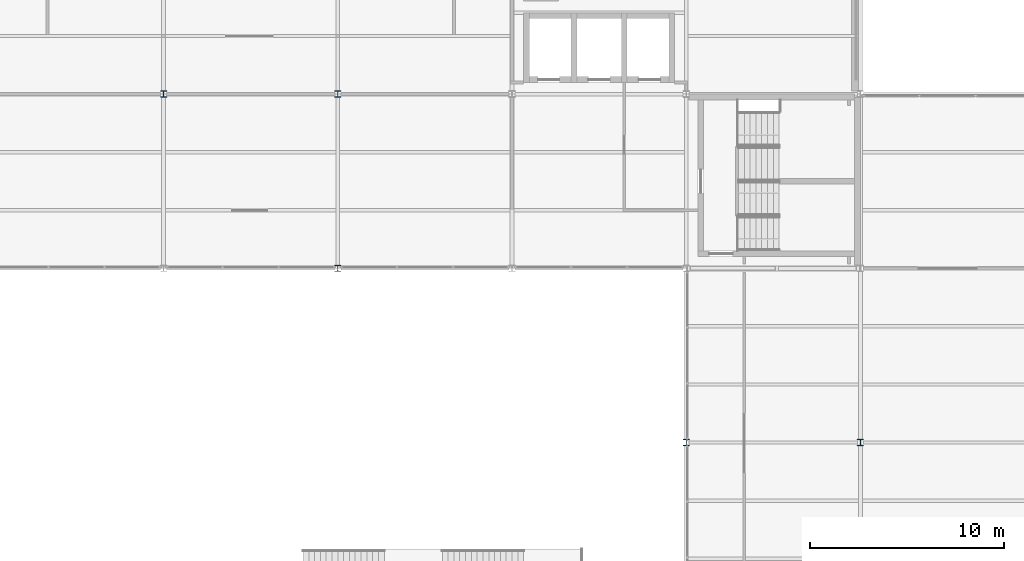
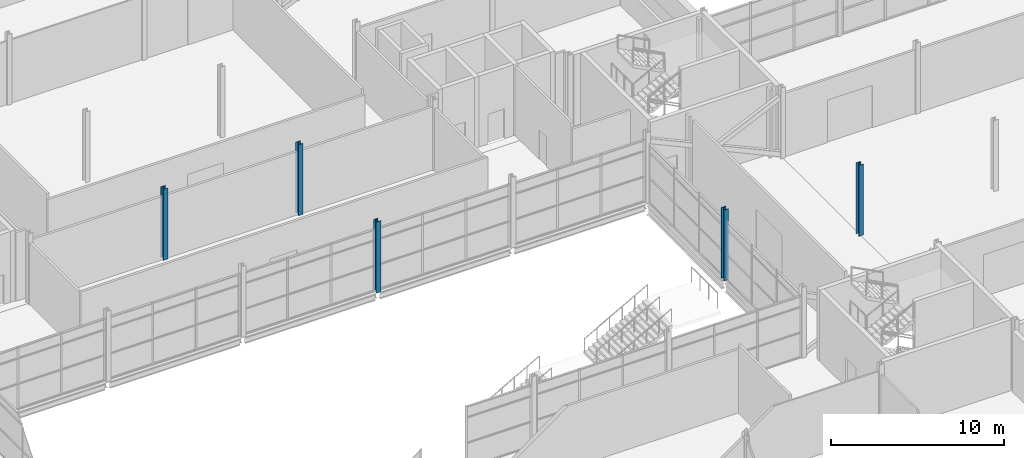
# One storey, part 11 of 112: 5 columns.
"""IFC4 building model written with IfcOpenShell, lengths in metres."""

from ifc_helpers import new_model, si_unit, direction, frame, origin, origin_2d, place, context, subcontext, project, spatial, i_section, extrude, material, material_profile, profile_set, type_object, element, save


model = new_model("IFC4")

# Units and contexts
model_context = context("Model", 3, precision=1e-05, world=origin(), true_north=direction((0.0, 1.0)))
body_context = subcontext(model_context, "Body", "Model", "MODEL_VIEW")
ifc_project = project(units=[si_unit("LENGTHUNIT", "METRE"), si_unit("AREAUNIT", "SQUARE_METRE"), si_unit("VOLUMEUNIT", "CUBIC_METRE"), si_unit("PLANEANGLEUNIT", "RADIAN"), si_unit("MASSUNIT", "GRAM", prefix="KILO")], contexts=[model_context])

# Site, building, storey
site_placement = place(None, origin())
site = spatial("IfcSite", under=ifc_project, at=site_placement, CompositionType="ELEMENT")
building_placement = place(site_placement, origin())
building = spatial("IfcBuilding", under=site, at=building_placement, Name="Shorebreak Coast Museum", CompositionType="ELEMENT")
storey_placement = place(building_placement, frame((0.0, 0.0, 6.0)))
storey = spatial("IfcBuildingStorey", under=building, at=storey_placement, Name="L01", CompositionType="ELEMENT", Elevation=6.0)

# Columns
ifc_material_1 = material(Name="Steel Grade 300", Category="steel")
ifc_material_profile_1 = material_profile(ifc_material_1, i_section(OverallWidth=0.30908203125, OverallDepth=0.320556640625, WebThickness=0.013916015625, FlangeThickness=0.021728515625, FilletRadius=0.0166015625, at=origin_2d()), Name="310UC137")
ifc_profile_set_1 = profile_set([ifc_material_profile_1], Name="Steel Grade 300")
column_type_1 = type_object("IfcColumnType", Name="Column 310UC137", PredefinedType="COLUMN", material=ifc_profile_set_1)
column_placement = place(storey_placement, frame((117.0, 72.0, 0.0), z_axis=(0.0, 0.0, 1.0), x_axis=(1.0, 0.0, 0.0)))
element("IfcColumn", 1, at=column_placement, inside=storey, type_object=column_type_1, Name="Column L01 14J", PredefinedType="COLUMN", context=body_context, shape_type="SweptSolid", body=[
    extrude(i_section(OverallWidth=0.30908203125, OverallDepth=0.320556640625, WebThickness=0.013916015625, FlangeThickness=0.021728515625, FilletRadius=0.0166015625, at=origin_2d()), origin(), (0.0, 0.0, 1.0), 5.0),
])
ifc_material_2 = material(Name="Steel Grade 300", Category="steel")
ifc_material_profile_2 = material_profile(ifc_material_2, i_section(OverallWidth=0.31103515625, OverallDepth=0.3271484375, WebThickness=0.015625, FlangeThickness=0.02490234375, FilletRadius=0.0166015625, at=origin_2d()), Name="310UC158")
ifc_profile_set_2 = profile_set([ifc_material_profile_2], Name="Steel Grade 300")
column_type_2 = type_object("IfcColumnType", Name="Column 310UC158", PredefinedType="COLUMN", material=ifc_profile_set_2)
for number, where, z_axis, x_axis, name in (
    (2, (108.0, 72.0, 0.0), (0.0, 0.0, 1.0), (1.0, 0.0, 0.0), "Column L01 13J"),
    (3, (90.0, 81.0, 0.0), (0.0, 0.0, 1.0), (1.0, 0.0, 0.0), "Column L01 11K"),
    (4, (81.0, 90.0, 0.0), (0.0, 0.0, 1.0), (1.0, 0.0, 0.0), "Column L01 10L"),
    (5, (90.0, 90.0, 0.0), (0.0, 0.0, 1.0), (1.0, 0.0, 0.0), "Column L01 11L"),
):
    element("IfcColumn", number, at=place(storey_placement, frame(where, z_axis=z_axis, x_axis=x_axis)), inside=storey, type_object=column_type_2, Name=name, PredefinedType="COLUMN", context=body_context, shape_type="SweptSolid", body=[
        extrude(i_section(OverallWidth=0.31103515625, OverallDepth=0.3271484375, WebThickness=0.015625, FlangeThickness=0.02490234375, FilletRadius=0.0166015625, at=origin_2d()), origin(), (0.0, 0.0, 1.0), 5.0),
    ])

save(model, "model.ifc")
